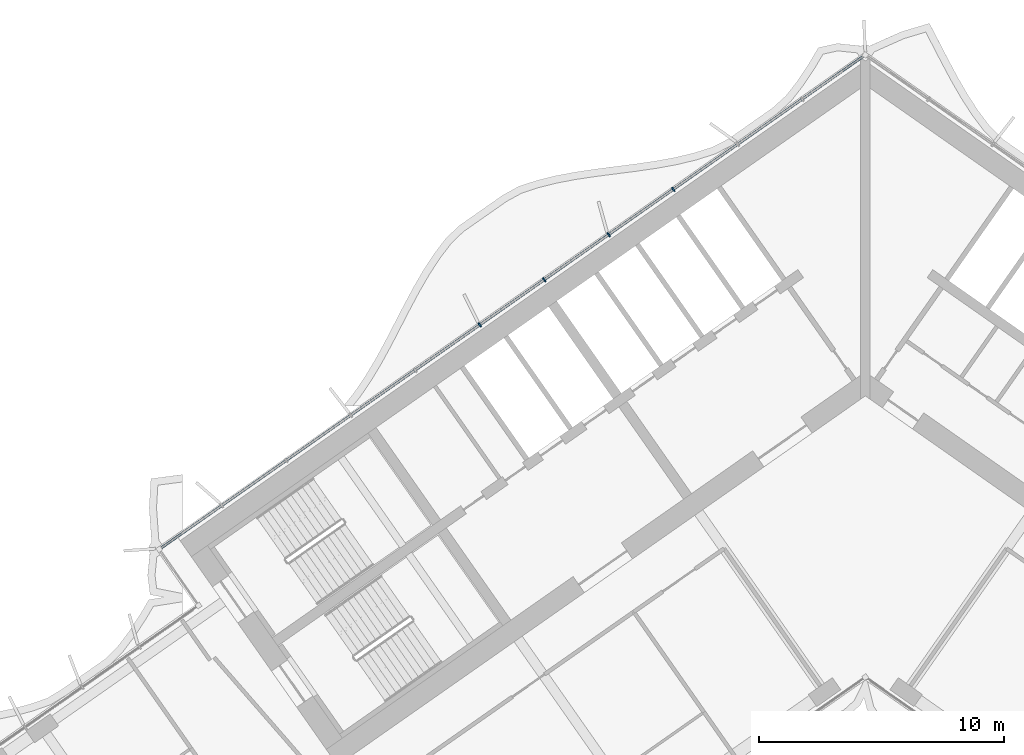
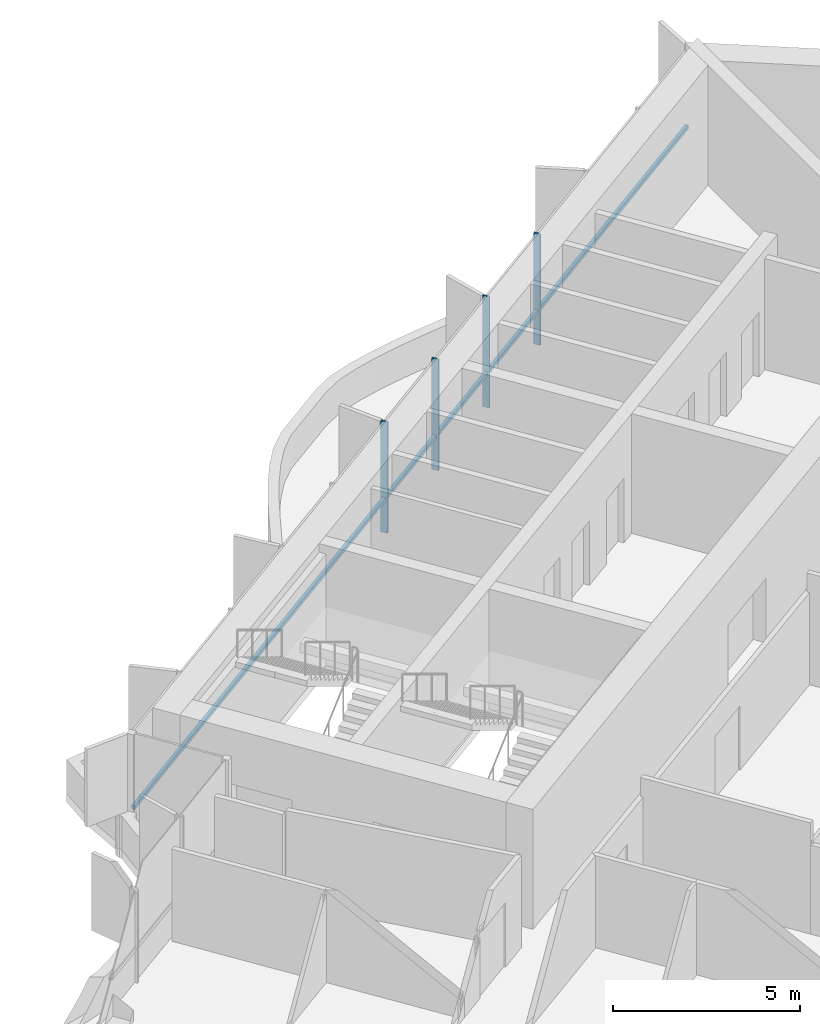
# One storey, part 8 of 23: 5 members, 1 element without a shape of its own.
"""IFC4 building model written with IfcOpenShell, lengths in metres."""

from ifc_helpers import new_model, si_unit, direction, frame, origin, origin_2d, place, context, subcontext, project, spatial, rectangle, extrude, material, material_profile, profile_set, type_object, element, aggregate, save


model = new_model("IFC4")

# Units and contexts
model_context = context("Model", 3, precision=1e-05, world=origin(), true_north=direction((0.0, 1.0)))
body_context = subcontext(model_context, "Body", "Model", "MODEL_VIEW")
ifc_project = project(units=[si_unit("LENGTHUNIT", "METRE"), si_unit("AREAUNIT", "SQUARE_METRE"), si_unit("VOLUMEUNIT", "CUBIC_METRE"), si_unit("PLANEANGLEUNIT", "RADIAN"), si_unit("MASSUNIT", "GRAM", prefix="KILO")], contexts=[model_context])

# Site, building, storey
site_placement = place(None, origin())
site = spatial("IfcSite", under=ifc_project, at=site_placement, CompositionType="ELEMENT")
building_placement = place(site_placement, origin())
building = spatial("IfcBuilding", under=site, at=building_placement, Name="Tel Ilan Convention Tower", CompositionType="ELEMENT")
storey_placement = place(building_placement, frame((0.0, 0.0, 186.60009765625)))
storey = spatial("IfcBuildingStorey", under=building, at=storey_placement, Name="L43", CompositionType="ELEMENT", Elevation=186.60009765625)

# Curtain wall, members
ifc_material_1 = material(Name="Aluminium, bronze anodised", Category="aluminium")
curtain_wall_type = type_object("IfcCurtainWallType", Name="CW2 STICK CURTAIN WALL, SPANDREL PANELS", PredefinedType="NOTDEFINED", material=ifc_material_1)
curtain_wall_placement = place(storey_placement, origin())
curtain_wall = element("IfcCurtainWall", 1, at=curtain_wall_placement, inside=storey, type_object=curtain_wall_type, Name="Curtain wall CW2-33.01", PredefinedType="NOTDEFINED")
ifc_material_2 = material(Name="Aluminium, bronze anodised", Category="aluminium")
ifc_material_profile_1 = material_profile(ifc_material_2, rectangle(XDim=0.06005859375, YDim=0.199951171875, at=origin_2d()), Name="CW MULLION 60x200")
ifc_profile_set_1 = profile_set([ifc_material_profile_1], Name="Aluminium, bronze anodised")
member_type_1 = type_object("IfcMemberType", Name="CW MULLION 60x200", PredefinedType="MULLION", material=ifc_profile_set_1)
member_1_placement = place(storey_placement, frame((-7.840576171875, 7.2060546875, 0.0), z_axis=(0.0, 0.0, 1.0), x_axis=(-0.819152044289, -0.573576436351, 0.0)))
member_1 = element("IfcMember", 2, at=member_1_placement, type_object=member_type_1, Name="Mullion", PredefinedType="MULLION", context=body_context, shape_type="SweptSolid", body=[
    extrude(rectangle(XDim=0.06005859375, YDim=0.199951171875, at=origin_2d()), origin(), (0.0, 0.0, 1.0), 3.619873046875),
])
member_2_placement = place(storey_placement, frame((-10.47314453125, 5.36279296875, 0.0), z_axis=(0.0, 0.0, 1.0), x_axis=(-0.819152044289, -0.573576436351, 0.0)))
member_2 = element("IfcMember", 3, at=member_2_placement, type_object=member_type_1, Name="Mullion", PredefinedType="MULLION", context=body_context, shape_type="SweptSolid", body=[
    extrude(rectangle(XDim=0.06005859375, YDim=0.199951171875, at=origin_2d()), origin(), (0.0, 0.0, 1.0), 3.619873046875),
])
member_3_placement = place(storey_placement, frame((-13.105712890625, 3.519287109375, 0.0), z_axis=(0.0, 0.0, 1.0), x_axis=(-0.819152044289, -0.573576436351, 0.0)))
member_3 = element("IfcMember", 4, at=member_3_placement, type_object=member_type_1, Name="Mullion", PredefinedType="MULLION", context=body_context, shape_type="SweptSolid", body=[
    extrude(rectangle(XDim=0.06005859375, YDim=0.199951171875, at=origin_2d()), origin(), (0.0, 0.0, 1.0), 3.619873046875),
])
member_4_placement = place(storey_placement, frame((-15.73828125, 1.676025390625, 0.0), z_axis=(0.0, 0.0, 1.0), x_axis=(-0.819152044289, -0.573576436351, 0.0)))
member_4 = element("IfcMember", 5, at=member_4_placement, type_object=member_type_1, Name="Mullion", PredefinedType="MULLION", context=body_context, shape_type="SweptSolid", body=[
    extrude(rectangle(XDim=0.06005859375, YDim=0.199951171875, at=origin_2d()), origin(), (0.0, 0.0, 1.0), 3.619873046875),
])
ifc_material_3 = material(Name="Aluminium, bronze anodised", Category="aluminium")
ifc_material_profile_2 = material_profile(ifc_material_3, rectangle(XDim=0.10009765625, YDim=0.1201171875, at=origin_2d()), Name="CW TRANSOM 100x120")
ifc_profile_set_2 = profile_set([ifc_material_profile_2], Name="Aluminium, bronze anodised")
member_type_2 = type_object("IfcMemberType", Name="CW TRANSOM 100x120", PredefinedType="USERDEFINED", material=ifc_profile_set_2)
member_5_placement = place(storey_placement, frame((-0.1064453125, 12.62158203125, 1.099853515625), z_axis=(-0.819150201937, -0.573579067494, 0.0), x_axis=(0.573579067494, -0.819150201937, 0.0)))
member_5 = element("IfcMember", 6, at=member_5_placement, type_object=member_type_2, Name="Transom", ObjectType="TRANSOM", PredefinedType="USERDEFINED", context=body_context, shape_type="SweptSolid", body=[
    extrude(rectangle(XDim=0.10009765625, YDim=0.1201171875, at=origin_2d()), origin(), (0.0, 0.0, 1.0), 34.9521484375),
])
aggregate(curtain_wall, [member_1, member_2, member_3, member_4, member_5])

save(model, "model.ifc")
